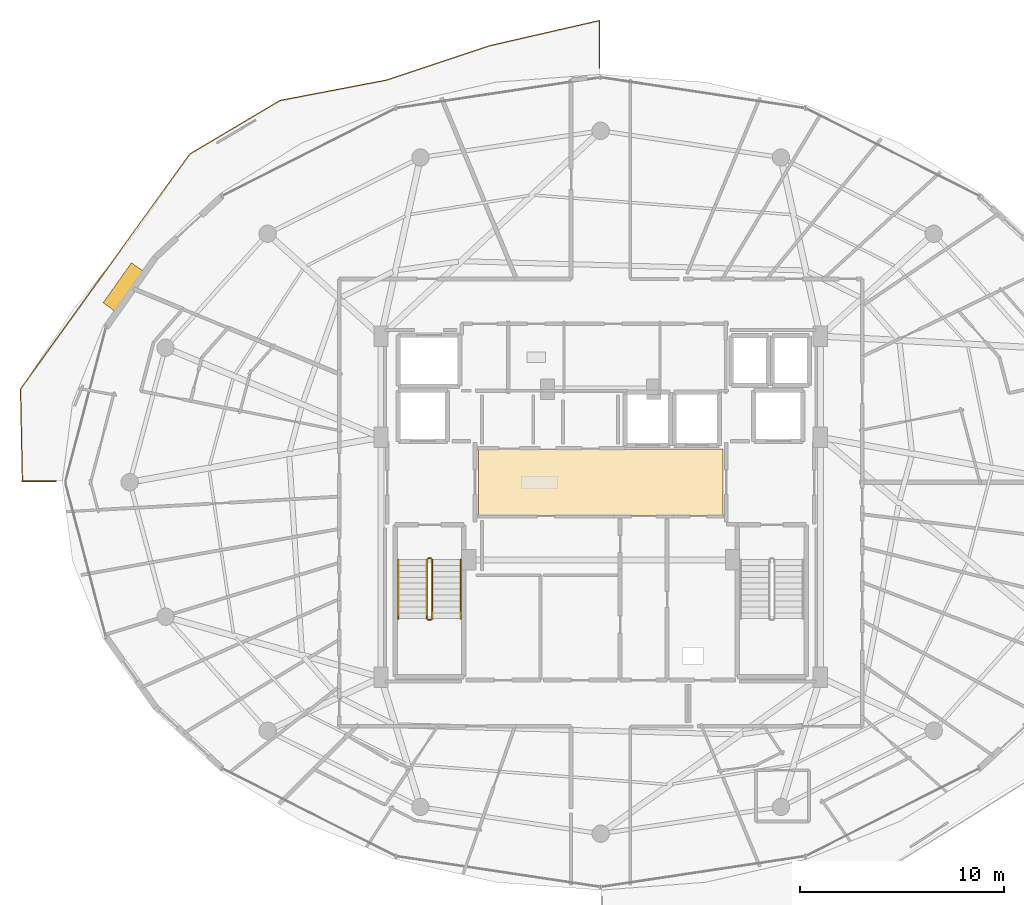
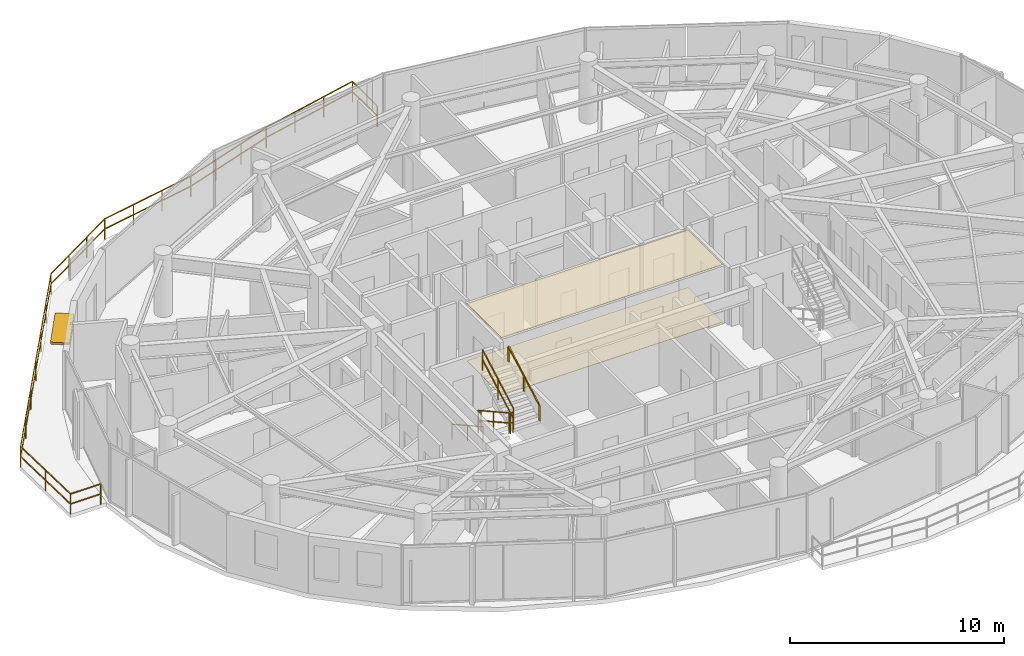
# One storey, part 26 of 29: 8 railings, 2 coverings, 1 shading device.
"""IFC4 building model written with IfcOpenShell, lengths in metres."""

from ifc_helpers import new_model, si_unit, direction, frame, origin, origin_2d, place, context, subcontext, project, spatial, polyline, rectangle, outline, extrude, material, layer, layer_set, type_object, element, save


model = new_model("IFC4")

# Units and contexts
model_context = context("Model", 3, precision=1e-05, world=origin(), true_north=direction((0.0, 1.0)))
body_context = subcontext(model_context, "Body", "Model", "MODEL_VIEW")
ifc_project = project(units=[si_unit("LENGTHUNIT", "METRE"), si_unit("AREAUNIT", "SQUARE_METRE"), si_unit("VOLUMEUNIT", "CUBIC_METRE"), si_unit("PLANEANGLEUNIT", "RADIAN"), si_unit("MASSUNIT", "GRAM", prefix="KILO")], contexts=[model_context])

# Site, building, storey
site_placement = place(None, origin())
site = spatial("IfcSite", under=ifc_project, at=site_placement, CompositionType="ELEMENT")
building_placement = place(site_placement, origin())
building = spatial("IfcBuilding", under=site, at=building_placement, Name="Vorneva Point Tower", CompositionType="ELEMENT")
storey_placement = place(building_placement, frame((0.0, 0.0, 259.10009765625)))
storey = spatial("IfcBuildingStorey", under=building, at=storey_placement, Name="L70", CompositionType="ELEMENT", Elevation=259.10009765625)

# Coverings
ifc_material_1 = material(Name="Perforated acoustic aluminium baffle ceiling", Category="aluminium")
ifc_layer_1 = layer(ifc_material_1, 0.030029296875)
ifc_layer_set_1 = layer_set([ifc_layer_1], Name="Perforated acoustic aluminium baffle ceiling")
covering_type_1 = type_object("IfcCoveringType", Name="COV-CEIL-BAF", PredefinedType="CEILING", material=ifc_layer_set_1)
covering_1_placement = place(storey_placement, frame((0.0, 0.0, 3.260009765625)))
element("IfcCovering", 1, at=covering_1_placement, inside=storey, type_object=covering_type_1, Name="L70 Lift Lobby Acoustic Baffle Ceiling", PredefinedType="CEILING", context=body_context, shape_type="SweptSolid", body=[
    extrude(outline(polyline([(32.02001953125, 24.3701171875), (43.97998046875, 24.3701171875), (43.97998046875, 27.6298828125), (32.02001953125, 27.6298828125), (32.02001953125, 24.3701171875)])), origin(), (0.0, 0.0, 1.0), 0.034912109375),
])
ifc_material_2 = material(Name="Acoustic wool hospitality carpet", Category="textile")
ifc_layer_2 = layer(ifc_material_2, 0.01806640625)
ifc_layer_set_2 = layer_set([ifc_layer_2], Name="Acoustic wool hospitality carpet")
covering_type_2 = type_object("IfcCoveringType", Name="COV-FLR-CRP", PredefinedType="FLOORING", material=ifc_layer_set_2)
covering_2_placement = place(storey_placement, frame((0.0, 0.0, -0.005126953125)))
element("IfcCovering", 2, at=covering_2_placement, inside=storey, type_object=covering_type_2, Name="L70 Lift Lobby Floor Finish", PredefinedType="FLOORING", context=body_context, shape_type="SweptSolid", body=[
    extrude(outline(polyline([(32.02001953125, 24.3701171875), (43.97998046875, 24.3701171875), (43.97998046875, 27.6298828125), (32.02001953125, 27.6298828125), (32.02001953125, 24.3701171875)])), origin(), (0.0, 0.0, 1.0), 0.02294921875),
])

# Railings
ifc_material_3 = material(Name="Pale anodised aluminium", Category="aluminium")
railing_type_1 = type_object("IfcRailingType", Name="RL-BAL-1200", PredefinedType="BALUSTRADE", material=ifc_material_3)
railing_1_placement = place(storey_placement, frame((9.698974609375, 26.050048828125, 0.0)))
element("IfcRailing", 3, at=railing_1_placement, inside=storey, type_object=railing_type_1, Name="L70 Wave Balcony Balustrade NW.1", PredefinedType="BALUSTRADE", context=body_context, shape_type="SweptSolid", body=[
    extrude(rectangle(XDim=0.048095703125, YDim=0.048095703125, at=origin_2d()), frame((0.0, 0.0, 1.17578125), z_axis=(1.0, 0.0, 0.0), x_axis=(0.0, 1.0, 0.0)), (0.0, 0.0, 1.0), 1.634765625),
    extrude(rectangle(XDim=0.048095703125, YDim=0.048095703125, at=origin_2d()), frame((0.0, 0.0, 0.60009765625), z_axis=(1.0, 0.0, 0.0), x_axis=(0.0, 1.0, 0.0)), (0.0, 0.0, 1.0), 1.634765625),
    extrude(rectangle(XDim=0.0419921875, YDim=0.0419921875, at=origin_2d()), origin(), (0.0, 0.0, 1.0), 1.15185546875),
    extrude(rectangle(XDim=0.0419921875, YDim=0.0419921875, at=origin_2d()), frame((1.634765625, 0.0, 0.0)), (0.0, 0.0, 1.0), 1.15185546875),
])
railing_2_placement = place(storey_placement, frame((37.949951171875, 46.277099609375, 0.0)))
element("IfcRailing", 4, at=railing_2_placement, inside=storey, type_object=railing_type_1, Name="L70 Wave Balcony Balustrade NW.2", PredefinedType="BALUSTRADE", context=body_context, shape_type="SweptSolid", body=[
    extrude(rectangle(XDim=0.048095703125, YDim=0.048095703125, at=origin_2d()), frame((0.0, 0.0, 1.17578125), z_axis=(0.0, 1.0, 0.0), x_axis=(-1.0, 0.0, 0.0)), (0.0, 0.0, 1.0), 2.3212890625),
    extrude(rectangle(XDim=0.048095703125, YDim=0.048095703125, at=origin_2d()), frame((0.0, 0.0, 0.60009765625), z_axis=(0.0, 1.0, 0.0), x_axis=(-1.0, 0.0, 0.0)), (0.0, 0.0, 1.0), 2.3212890625),
    extrude(rectangle(XDim=0.048095703125, YDim=0.048095703125, at=origin_2d()), frame((0.0, 2.3212890625, 1.17578125), z_axis=(-0.974723055211, -0.223416574227, 0.0), x_axis=(0.223416574227, -0.974723055211, 0.0)), (0.0, 0.0, 1.0), 5.499755859375),
    extrude(rectangle(XDim=0.048095703125, YDim=0.048095703125, at=origin_2d()), frame((0.0, 2.3212890625, 0.60009765625), z_axis=(-0.974723055211, -0.223416574227, 0.0), x_axis=(0.223416574227, -0.974723055211, 0.0)), (0.0, 0.0, 1.0), 5.499755859375),
    extrude(rectangle(XDim=0.048095703125, YDim=0.048095703125, at=origin_2d()), frame((-5.36083984375, 1.092529296875, 1.17578125), z_axis=(-0.94880218578, -0.315870879093, 0.0), x_axis=(0.315870879093, -0.94880218578, 0.0)), (0.0, 0.0, 1.0), 5.336181640625),
    extrude(rectangle(XDim=0.048095703125, YDim=0.048095703125, at=origin_2d()), frame((-5.36083984375, 1.092529296875, 0.60009765625), z_axis=(-0.94880218578, -0.315870879093, 0.0), x_axis=(0.315870879093, -0.94880218578, 0.0)), (0.0, 0.0, 1.0), 5.336181640625),
    extrude(rectangle(XDim=0.048095703125, YDim=0.048095703125, at=origin_2d()), frame((-10.423828125, -0.593017578125, 1.17578125), z_axis=(-0.982117634972, -0.188268295464, 0.0), x_axis=(0.188268295464, -0.982117634972, 0.0)), (0.0, 0.0, 1.0), 5.316650390625),
    extrude(rectangle(XDim=0.048095703125, YDim=0.048095703125, at=origin_2d()), frame((-10.423828125, -0.593017578125, 0.60009765625), z_axis=(-0.982117634972, -0.188268295464, 0.0), x_axis=(0.188268295464, -0.982117634972, 0.0)), (0.0, 0.0, 1.0), 5.316650390625),
    extrude(rectangle(XDim=0.048095703125, YDim=0.048095703125, at=origin_2d()), frame((-15.6455078125, -1.593994140625, 1.17578125), z_axis=(-0.85984691298, -0.510551942743, 0.0), x_axis=(0.510551942743, -0.85984691298, 0.0)), (0.0, 0.0, 1.0), 5.13232421875),
    extrude(rectangle(XDim=0.048095703125, YDim=0.048095703125, at=origin_2d()), frame((-15.6455078125, -1.593994140625, 0.60009765625), z_axis=(-0.85984691298, -0.510551942743, 0.0), x_axis=(0.510551942743, -0.85984691298, 0.0)), (0.0, 0.0, 1.0), 5.13232421875),
    extrude(rectangle(XDim=0.048095703125, YDim=0.048095703125, at=origin_2d()), frame((-20.05859375, -4.21435546875, 1.17578125), z_axis=(-0.584576966911, -0.811338258531, 0.0), x_axis=(0.811338258531, -0.584576966911, 0.0)), (0.0, 0.0, 1.0), 14.1728515625),
    extrude(rectangle(XDim=0.048095703125, YDim=0.048095703125, at=origin_2d()), frame((-20.05859375, -4.21435546875, 0.60009765625), z_axis=(-0.584576966911, -0.811338258531, 0.0), x_axis=(0.811338258531, -0.584576966911, 0.0)), (0.0, 0.0, 1.0), 14.1728515625),
    extrude(rectangle(XDim=0.048095703125, YDim=0.048095703125, at=origin_2d()), frame((-28.34375, -15.71337890625, 1.17578125), z_axis=(0.020549532546, -0.999788836061, 0.0), x_axis=(0.999788836061, 0.020549532546, 0.0)), (0.0, 0.0, 1.0), 4.5146484375),
    extrude(rectangle(XDim=0.048095703125, YDim=0.048095703125, at=origin_2d()), frame((-28.34375, -15.71337890625, 0.60009765625), z_axis=(0.020549532546, -0.999788836061, 0.0), x_axis=(0.999788836061, 0.020549532546, 0.0)), (0.0, 0.0, 1.0), 4.5146484375),
    extrude(rectangle(XDim=0.0419921875, YDim=0.0419921875, at=origin_2d()), origin(), (0.0, 0.0, 1.0), 1.15185546875),
    extrude(rectangle(XDim=0.0419921875, YDim=0.0419921875, at=origin_2d()), frame((0.0, 2.3212890625, 0.0)), (0.0, 0.0, 1.0), 1.15185546875),
    extrude(rectangle(XDim=0.0419921875, YDim=0.0419921875, at=origin_2d()), frame((-1.786865234375, 1.91162109375, 0.0)), (0.0, 0.0, 1.0), 1.15185546875),
    extrude(rectangle(XDim=0.0419921875, YDim=0.0419921875, at=origin_2d()), frame((-3.573974609375, 1.502197265625, 0.0)), (0.0, 0.0, 1.0), 1.15185546875),
    extrude(rectangle(XDim=0.0419921875, YDim=0.0419921875, at=origin_2d()), frame((-5.36083984375, 1.092529296875, 0.0)), (0.0, 0.0, 1.0), 1.15185546875),
    extrude(rectangle(XDim=0.0419921875, YDim=0.0419921875, at=origin_2d()), frame((-7.048583984375, 0.53076171875, 0.0)), (0.0, 0.0, 1.0), 1.15185546875),
    extrude(rectangle(XDim=0.0419921875, YDim=0.0419921875, at=origin_2d()), frame((-8.736083984375, -0.03125, 0.0)), (0.0, 0.0, 1.0), 1.15185546875),
    extrude(rectangle(XDim=0.0419921875, YDim=0.0419921875, at=origin_2d()), frame((-10.423828125, -0.593017578125, 0.0)), (0.0, 0.0, 1.0), 1.15185546875),
    extrude(rectangle(XDim=0.0419921875, YDim=0.0419921875, at=origin_2d()), frame((-12.164306640625, -0.9267578125, 0.0)), (0.0, 0.0, 1.0), 1.15185546875),
    extrude(rectangle(XDim=0.0419921875, YDim=0.0419921875, at=origin_2d()), frame((-13.905029296875, -1.26025390625, 0.0)), (0.0, 0.0, 1.0), 1.15185546875),
    extrude(rectangle(XDim=0.0419921875, YDim=0.0419921875, at=origin_2d()), frame((-15.6455078125, -1.593994140625, 0.0)), (0.0, 0.0, 1.0), 1.15185546875),
    extrude(rectangle(XDim=0.0419921875, YDim=0.0419921875, at=origin_2d()), frame((-17.116455078125, -2.467529296875, 0.0)), (0.0, 0.0, 1.0), 1.15185546875),
    extrude(rectangle(XDim=0.0419921875, YDim=0.0419921875, at=origin_2d()), frame((-18.587646484375, -3.3408203125, 0.0)), (0.0, 0.0, 1.0), 1.15185546875),
    extrude(rectangle(XDim=0.0419921875, YDim=0.0419921875, at=origin_2d()), frame((-20.05859375, -4.21435546875, 0.0)), (0.0, 0.0, 1.0), 1.15185546875),
    extrude(rectangle(XDim=0.0419921875, YDim=0.0419921875, at=origin_2d()), frame((-21.439453125, -6.130859375, 0.0)), (0.0, 0.0, 1.0), 1.15185546875),
    extrude(rectangle(XDim=0.0419921875, YDim=0.0419921875, at=origin_2d()), frame((-22.8203125, -8.04736328125, 0.0)), (0.0, 0.0, 1.0), 1.15185546875),
    extrude(rectangle(XDim=0.0419921875, YDim=0.0419921875, at=origin_2d()), frame((-24.201171875, -9.9638671875, 0.0)), (0.0, 0.0, 1.0), 1.15185546875),
    extrude(rectangle(XDim=0.0419921875, YDim=0.0419921875, at=origin_2d()), frame((-25.58203125, -11.88037109375, 0.0)), (0.0, 0.0, 1.0), 1.15185546875),
    extrude(rectangle(XDim=0.0419921875, YDim=0.0419921875, at=origin_2d()), frame((-26.962890625, -13.796875, 0.0)), (0.0, 0.0, 1.0), 1.15185546875),
    extrude(rectangle(XDim=0.0419921875, YDim=0.0419921875, at=origin_2d()), frame((-28.34375, -15.71337890625, 0.0)), (0.0, 0.0, 1.0), 1.15185546875),
    extrude(rectangle(XDim=0.0419921875, YDim=0.0419921875, at=origin_2d()), frame((-28.29736328125, -17.97021484375, 0.0)), (0.0, 0.0, 1.0), 1.15185546875),
    extrude(rectangle(XDim=0.0419921875, YDim=0.0419921875, at=origin_2d()), frame((-28.2509765625, -20.22705078125, 0.0)), (0.0, 0.0, 1.0), 1.15185546875),
])
ifc_material_4 = material(Name="Brushed stainless steel S304", Category="steel")
railing_type_2 = type_object("IfcRailingType", Name="RL-HND-920", PredefinedType="HANDRAIL", material=ifc_material_4)
railing_3_placement = place(storey_placement, frame((28.10009765625, 22.219970703125, 0.161376953125)))
element("IfcRailing", 5, at=railing_3_placement, inside=storey, type_object=railing_type_2, Name="L70 ST1 stair handrail 1", PredefinedType="HANDRAIL", context=body_context, shape_type="SweptSolid", body=[
    extrude(rectangle(XDim=0.048095703125, YDim=0.048095703125, at=origin_2d()), frame((0.0, 0.0, 0.8759765625), z_axis=(0.0, -0.873841303929, 0.486211245805), x_axis=(1.0, 0.0, 0.0)), (0.0, 0.0, 1.0), 3.318603515625),
    extrude(rectangle(XDim=0.0419921875, YDim=0.0419921875, at=origin_2d()), origin(), (0.0, 0.0, 1.0), 0.851806640625),
    extrude(rectangle(XDim=0.0419921875, YDim=0.0419921875, at=origin_2d()), frame((0.0, -1.449951171875, 0.806640625)), (0.0, 0.0, 1.0), 0.851806640625),
    extrude(rectangle(XDim=0.0419921875, YDim=0.0419921875, at=origin_2d()), frame((0.0, -2.89990234375, 1.613525390625)), (0.0, 0.0, 1.0), 0.851806640625),
])
railing_4_placement = place(storey_placement, frame((31.14990234375, 19.320068359375, 1.936279296875)))
element("IfcRailing", 6, at=railing_4_placement, inside=storey, type_object=railing_type_2, Name="L70 ST1 stair handrail 2", PredefinedType="HANDRAIL", context=body_context, shape_type="SweptSolid", body=[
    extrude(rectangle(XDim=0.048095703125, YDim=0.048095703125, at=origin_2d()), frame((0.0, 0.0, 0.8759765625), z_axis=(0.0, 0.873841303929, 0.486211245805), x_axis=(-1.0, 0.0, 0.0)), (0.0, 0.0, 1.0), 3.318603515625),
    extrude(rectangle(XDim=0.0419921875, YDim=0.0419921875, at=origin_2d()), origin(), (0.0, 0.0, 1.0), 0.851806640625),
    extrude(rectangle(XDim=0.0419921875, YDim=0.0419921875, at=origin_2d()), frame((0.0, 1.449951171875, 0.806640625)), (0.0, 0.0, 1.0), 0.851806640625),
    extrude(rectangle(XDim=0.0419921875, YDim=0.0419921875, at=origin_2d()), frame((0.0, 2.89990234375, 1.613525390625)), (0.0, 0.0, 1.0), 0.851806640625),
])
railing_type_3 = type_object("IfcRailingType", Name="RL-STG-1100", PredefinedType="GUARDRAIL", material=ifc_material_4)
railing_5_placement = place(storey_placement, frame((29.5, 22.219970703125, 0.161376953125)))
element("IfcRailing", 7, at=railing_5_placement, inside=storey, type_object=railing_type_3, Name="L70 ST1 stair guard 1", PredefinedType="GUARDRAIL", context=body_context, shape_type="SweptSolid", body=[
    extrude(rectangle(XDim=0.048095703125, YDim=0.048095703125, at=origin_2d()), frame((0.0, 0.0, 1.17578125), z_axis=(0.0, -0.873841303929, 0.486211245805), x_axis=(1.0, 0.0, 0.0)), (0.0, 0.0, 1.0), 3.318603515625),
    extrude(rectangle(XDim=0.048095703125, YDim=0.048095703125, at=origin_2d()), frame((0.0, 0.0, 0.60009765625), z_axis=(0.0, -0.873841303929, 0.486211245805), x_axis=(1.0, 0.0, 0.0)), (0.0, 0.0, 1.0), 3.318603515625),
    extrude(rectangle(XDim=0.0419921875, YDim=0.0419921875, at=origin_2d()), origin(), (0.0, 0.0, 1.0), 1.15185546875),
    extrude(rectangle(XDim=0.0419921875, YDim=0.0419921875, at=origin_2d()), frame((0.0, -1.449951171875, 0.806640625)), (0.0, 0.0, 1.0), 1.15185546875),
    extrude(rectangle(XDim=0.0419921875, YDim=0.0419921875, at=origin_2d()), frame((0.0, -2.89990234375, 1.613525390625)), (0.0, 0.0, 1.0), 1.15185546875),
])
railing_6_placement = place(storey_placement, frame((29.550048828125, 19.27001953125, 1.77490234375)))
element("IfcRailing", 8, at=railing_6_placement, inside=storey, type_object=railing_type_3, Name="L70 ST1 stair guard 2", PredefinedType="GUARDRAIL", context=body_context, shape_type="SweptSolid", body=[
    extrude(rectangle(XDim=0.048095703125, YDim=0.048095703125, at=origin_2d()), frame((0.0, 0.0, 1.17578125), z_axis=(1.0, 0.0, 0.0), x_axis=(0.0, 1.0, 0.0)), (0.0, 0.0, 1.0), 0.14990234375),
    extrude(rectangle(XDim=0.048095703125, YDim=0.048095703125, at=origin_2d()), frame((0.0, 0.0, 0.60009765625), z_axis=(1.0, 0.0, 0.0), x_axis=(0.0, 1.0, 0.0)), (0.0, 0.0, 1.0), 0.14990234375),
    extrude(rectangle(XDim=0.0419921875, YDim=0.0419921875, at=origin_2d()), origin(), (0.0, 0.0, 1.0), 1.15185546875),
    extrude(rectangle(XDim=0.0419921875, YDim=0.0419921875, at=origin_2d()), frame((0.14990234375, 0.0, 0.0)), (0.0, 0.0, 1.0), 1.15185546875),
])
railing_7_placement = place(storey_placement, frame((29.75, 19.320068359375, 1.936279296875)))
element("IfcRailing", 9, at=railing_7_placement, inside=storey, type_object=railing_type_3, Name="L70 ST1 stair guard 3", PredefinedType="GUARDRAIL", context=body_context, shape_type="SweptSolid", body=[
    extrude(rectangle(XDim=0.048095703125, YDim=0.048095703125, at=origin_2d()), frame((0.0, 0.0, 1.17578125), z_axis=(0.0, 0.873841303929, 0.486211245805), x_axis=(-1.0, 0.0, 0.0)), (0.0, 0.0, 1.0), 3.318603515625),
    extrude(rectangle(XDim=0.048095703125, YDim=0.048095703125, at=origin_2d()), frame((0.0, 0.0, 0.60009765625), z_axis=(0.0, 0.873841303929, 0.486211245805), x_axis=(-1.0, 0.0, 0.0)), (0.0, 0.0, 1.0), 3.318603515625),
    extrude(rectangle(XDim=0.0419921875, YDim=0.0419921875, at=origin_2d()), origin(), (0.0, 0.0, 1.0), 1.15185546875),
    extrude(rectangle(XDim=0.0419921875, YDim=0.0419921875, at=origin_2d()), frame((0.0, 1.449951171875, 0.806640625)), (0.0, 0.0, 1.0), 1.15185546875),
    extrude(rectangle(XDim=0.0419921875, YDim=0.0419921875, at=origin_2d()), frame((0.0, 2.89990234375, 1.613525390625)), (0.0, 0.0, 1.0), 1.15185546875),
])
railing_8_placement = place(storey_placement, frame((29.550048828125, 22.27001953125, 0.0)))
element("IfcRailing", 10, at=railing_8_placement, inside=storey, type_object=railing_type_3, Name="L70 ST1 stair guard 4", PredefinedType="GUARDRAIL", context=body_context, shape_type="SweptSolid", body=[
    extrude(rectangle(XDim=0.048095703125, YDim=0.048095703125, at=origin_2d()), frame((0.0, 0.0, 1.17578125), z_axis=(1.0, 0.0, 0.0), x_axis=(0.0, 1.0, 0.0)), (0.0, 0.0, 1.0), 0.14990234375),
    extrude(rectangle(XDim=0.048095703125, YDim=0.048095703125, at=origin_2d()), frame((0.0, 0.0, 0.60009765625), z_axis=(1.0, 0.0, 0.0), x_axis=(0.0, 1.0, 0.0)), (0.0, 0.0, 1.0), 0.14990234375),
    extrude(rectangle(XDim=0.0419921875, YDim=0.0419921875, at=origin_2d()), origin(), (0.0, 0.0, 1.0), 1.15185546875),
    extrude(rectangle(XDim=0.0419921875, YDim=0.0419921875, at=origin_2d()), frame((0.14990234375, 0.0, 0.0)), (0.0, 0.0, 1.0), 1.15185546875),
])

# Shading device
shading_device_type = type_object("IfcShadingDeviceType", Name="SHD-AWN-900", PredefinedType="AWNING", material=ifc_material_3)
shading_device_placement = place(storey_placement, frame((14.7109375, 35.501220703125, 3.0498046875), z_axis=(0.0, 0.0, 1.0), x_axis=(-0.577259209083, -0.816560962531, 0.0)))
element("IfcShadingDevice", 11, at=shading_device_placement, inside=storey, type_object=shading_device_type, Name="L70 Pale-Aluminium Brise-Soleil Awning 07", PredefinedType="AWNING", context=body_context, shape_type="SweptSolid", body=[
    extrude(rectangle(XDim=2.39990234375, YDim=0.89990234375, at=origin_2d()), origin(), (0.0, 0.0, 1.0), 0.1201171875),
])

save(model, "model.ifc")
